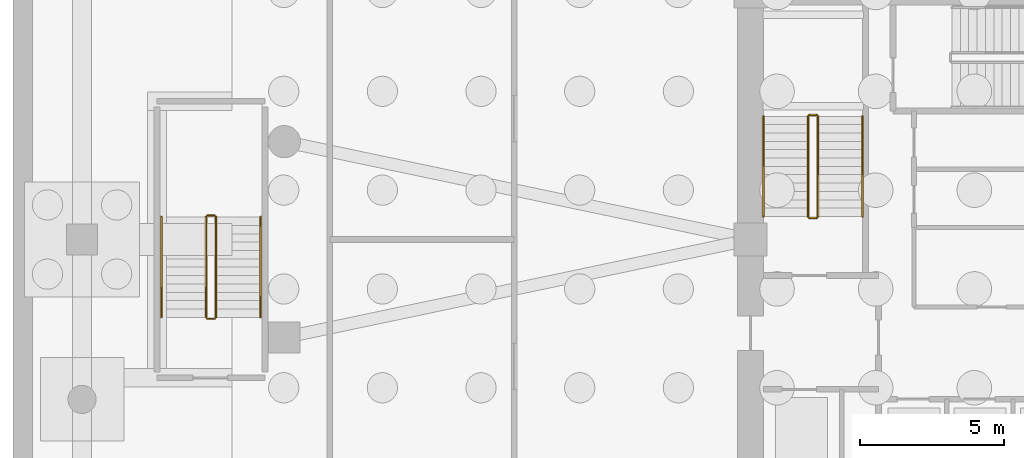
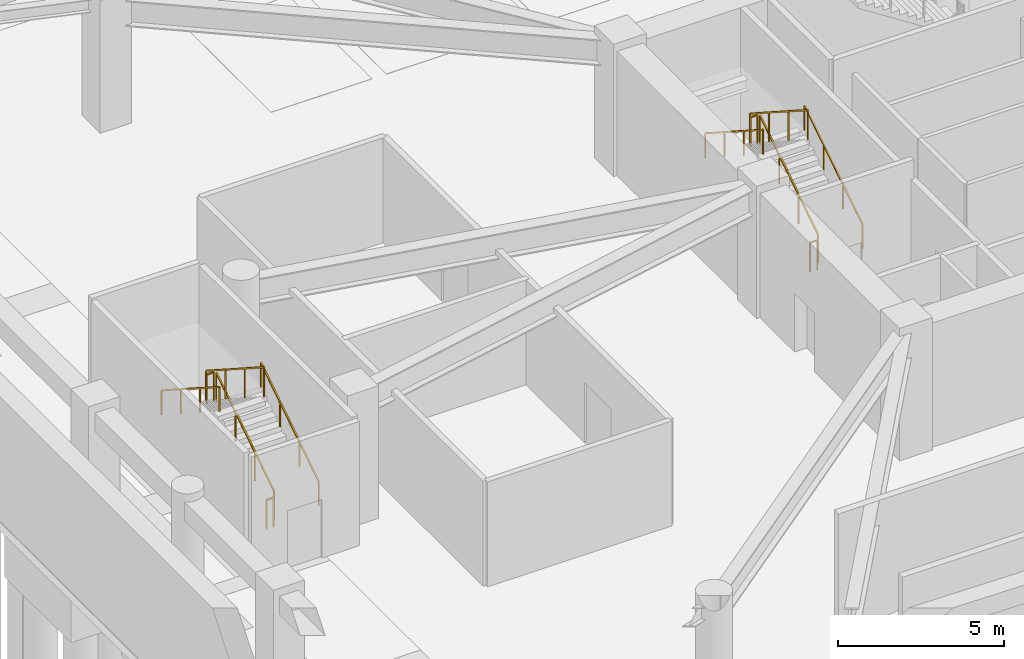
# One storey, part 7 of 11: 12 railings.
"""IFC4 building model written with IfcOpenShell, lengths in metres."""

from ifc_helpers import new_model, si_unit, derived_unit, direction, frame, origin, origin_2d, place, context, subcontext, project, spatial, rectangle, extrude, material, type_object, element, save


model = new_model("IFC4")

# Units and contexts
model_context = context("Model", 3, precision=1e-05, world=origin(), true_north=direction((0.0, 1.0)))
body_context = subcontext(model_context, "Body", "Model", "MODEL_VIEW")
ifc_project = project(units=[si_unit("LENGTHUNIT", "METRE"), si_unit("AREAUNIT", "SQUARE_METRE"), si_unit("VOLUMEUNIT", "CUBIC_METRE"), si_unit("PLANEANGLEUNIT", "RADIAN"), si_unit("MASSUNIT", "GRAM", prefix="KILO"), derived_unit("THERMALTRANSMITTANCEUNIT", [(si_unit("POWERUNIT", "WATT"), 1), (si_unit("LENGTHUNIT", "METRE"), -2), (si_unit("THERMODYNAMICTEMPERATUREUNIT", "KELVIN"), -1)])], contexts=[model_context])

# Site, building, storey
site_placement = place(None, origin())
site = spatial("IfcSite", under=ifc_project, at=site_placement, CompositionType="ELEMENT")
building_placement = place(site_placement, origin())
building = spatial("IfcBuilding", under=site, at=building_placement, Name="Koralith Skygarden Medical Center", CompositionType="ELEMENT")
storey_placement = place(building_placement, frame((0.0, 0.0, -9.719970703125)))
storey = spatial("IfcBuildingStorey", under=building, at=storey_placement, Name="B2", CompositionType="ELEMENT", Elevation=-9.719970703125)

# Railings
ifc_material = material(Name="Steel ASTM A500 Grade C", Category="steel")
railing_type_1 = type_object("IfcRailingType", Name="Stair Flight Tubular Handrail 920", PredefinedType="HANDRAIL", material=ifc_material)
railing_1_placement = place(storey_placement, frame((29.699951171875, 26.699951171875, 0.18701171875)))
element("IfcRailing", 1, at=railing_1_placement, inside=storey, type_object=railing_type_1, Name="B2 ST1 stair handrail 1", PredefinedType="HANDRAIL", context=body_context, shape_type="SweptSolid", body=[
    extrude(rectangle(XDim=0.050048828125, YDim=0.050048828125, at=origin_2d()), frame((0.0, 0.001708984375, 0.89599609375), z_axis=(0.0, 0.840541796355, 0.541746701495), x_axis=(-1.0, 0.0, 0.0)), (0.0, 0.0, 1.0), 4.13623046875),
    extrude(rectangle(XDim=0.0419921875, YDim=0.0419921875, at=origin_2d()), origin(), (0.0, 0.0, 1.0), 0.867919921875),
    extrude(rectangle(XDim=0.0419921875, YDim=0.0419921875, at=origin_2d()), frame((0.0, 1.159912109375, 0.74755859375)), (0.0, 0.0, 1.0), 0.867919921875),
    extrude(rectangle(XDim=0.0419921875, YDim=0.0419921875, at=origin_2d()), frame((0.0, 2.320068359375, 1.495361328125)), (0.0, 0.0, 1.0), 0.867919921875),
    extrude(rectangle(XDim=0.0419921875, YDim=0.0419921875, at=origin_2d()), frame((0.0, 3.47998046875, 2.242919921875)), (0.0, 0.0, 1.0), 0.867919921875),
])
railing_2_placement = place(storey_placement, frame((26.25, 30.179931640625, 2.616943359375)))
element("IfcRailing", 2, at=railing_2_placement, inside=storey, type_object=railing_type_1, Name="B2 ST1 stair handrail 2", PredefinedType="HANDRAIL", context=body_context, shape_type="SweptSolid", body=[
    extrude(rectangle(XDim=0.050048828125, YDim=0.050048828125, at=origin_2d()), frame((0.0, -0.001708984375, 0.89599609375), z_axis=(0.0, -0.840541796355, 0.541746701495), x_axis=(1.0, 0.0, 0.0)), (0.0, 0.0, 1.0), 4.13623046875),
    extrude(rectangle(XDim=0.0419921875, YDim=0.0419921875, at=origin_2d()), origin(), (0.0, 0.0, 1.0), 0.867919921875),
    extrude(rectangle(XDim=0.0419921875, YDim=0.0419921875, at=origin_2d()), frame((0.0, -1.159912109375, 0.74755859375)), (0.0, 0.0, 1.0), 0.867919921875),
    extrude(rectangle(XDim=0.0419921875, YDim=0.0419921875, at=origin_2d()), frame((0.0, -2.320068359375, 1.495361328125)), (0.0, 0.0, 1.0), 0.867919921875),
    extrude(rectangle(XDim=0.0419921875, YDim=0.0419921875, at=origin_2d()), frame((0.0, -3.47998046875, 2.242919921875)), (0.0, 0.0, 1.0), 0.867919921875),
])
railing_3_placement = place(storey_placement, frame((8.800048828125, 23.199951171875, 0.18701171875)))
element("IfcRailing", 3, at=railing_3_placement, inside=storey, type_object=railing_type_1, Name="B2 ST4 stair handrail 1", PredefinedType="HANDRAIL", context=body_context, shape_type="SweptSolid", body=[
    extrude(rectangle(XDim=0.050048828125, YDim=0.050048828125, at=origin_2d()), frame((0.0, 0.001708984375, 0.89599609375), z_axis=(0.0, 0.840541796355, 0.541746701495), x_axis=(-1.0, 0.0, 0.0)), (0.0, 0.0, 1.0), 4.13623046875),
    extrude(rectangle(XDim=0.0419921875, YDim=0.0419921875, at=origin_2d()), origin(), (0.0, 0.0, 1.0), 0.867919921875),
    extrude(rectangle(XDim=0.0419921875, YDim=0.0419921875, at=origin_2d()), frame((0.0, 1.159912109375, 0.74755859375)), (0.0, 0.0, 1.0), 0.867919921875),
    extrude(rectangle(XDim=0.0419921875, YDim=0.0419921875, at=origin_2d()), frame((0.0, 2.320068359375, 1.495361328125)), (0.0, 0.0, 1.0), 0.867919921875),
    extrude(rectangle(XDim=0.0419921875, YDim=0.0419921875, at=origin_2d()), frame((0.0, 3.47998046875, 2.242919921875)), (0.0, 0.0, 1.0), 0.867919921875),
])
railing_4_placement = place(storey_placement, frame((5.35009765625, 26.679931640625, 2.616943359375)))
element("IfcRailing", 4, at=railing_4_placement, inside=storey, type_object=railing_type_1, Name="B2 ST4 stair handrail 2", PredefinedType="HANDRAIL", context=body_context, shape_type="SweptSolid", body=[
    extrude(rectangle(XDim=0.050048828125, YDim=0.050048828125, at=origin_2d()), frame((0.0, -0.001708984375, 0.89599609375), z_axis=(0.0, -0.840541796355, 0.541746701495), x_axis=(1.0, 0.0, 0.0)), (0.0, 0.0, 1.0), 4.13623046875),
    extrude(rectangle(XDim=0.0419921875, YDim=0.0419921875, at=origin_2d()), origin(), (0.0, 0.0, 1.0), 0.867919921875),
    extrude(rectangle(XDim=0.0419921875, YDim=0.0419921875, at=origin_2d()), frame((0.0, -1.159912109375, 0.74755859375)), (0.0, 0.0, 1.0), 0.867919921875),
    extrude(rectangle(XDim=0.0419921875, YDim=0.0419921875, at=origin_2d()), frame((0.0, -2.320068359375, 1.495361328125)), (0.0, 0.0, 1.0), 0.867919921875),
    extrude(rectangle(XDim=0.0419921875, YDim=0.0419921875, at=origin_2d()), frame((0.0, -3.47998046875, 2.242919921875)), (0.0, 0.0, 1.0), 0.867919921875),
])
railing_type_2 = type_object("IfcRailingType", Name="Stair Well Safety Guardrail 1100", PredefinedType="GUARDRAIL", material=ifc_material)
railing_5_placement = place(storey_placement, frame((28.14990234375, 26.699951171875, 0.18701171875)))
element("IfcRailing", 5, at=railing_5_placement, inside=storey, type_object=railing_type_2, Name="B2 ST1 stair guard 1", PredefinedType="GUARDRAIL", context=body_context, shape_type="SweptSolid", body=[
    extrude(rectangle(XDim=0.050048828125, YDim=0.050048828125, at=origin_2d()), frame((0.0, 0.001708984375, 1.076171875), z_axis=(0.0, 0.840541796355, 0.541746701495), x_axis=(-1.0, 0.0, 0.0)), (0.0, 0.0, 1.0), 4.13623046875),
    extrude(rectangle(XDim=0.0419921875, YDim=0.0419921875, at=origin_2d()), origin(), (0.0, 0.0, 1.0), 1.048095703125),
    extrude(rectangle(XDim=0.0419921875, YDim=0.0419921875, at=origin_2d()), frame((0.0, 1.159912109375, 0.74755859375)), (0.0, 0.0, 1.0), 1.048095703125),
    extrude(rectangle(XDim=0.0419921875, YDim=0.0419921875, at=origin_2d()), frame((0.0, 2.320068359375, 1.495361328125)), (0.0, 0.0, 1.0), 1.048095703125),
    extrude(rectangle(XDim=0.0419921875, YDim=0.0419921875, at=origin_2d()), frame((0.0, 3.47998046875, 2.242919921875)), (0.0, 0.0, 1.0), 1.048095703125),
])
railing_6_placement = place(storey_placement, frame((28.10009765625, 30.22998046875, 2.429931640625)))
element("IfcRailing", 6, at=railing_6_placement, inside=storey, type_object=railing_type_2, Name="B2 ST1 stair guard 2", PredefinedType="GUARDRAIL", context=body_context, shape_type="SweptSolid", body=[
    extrude(rectangle(XDim=0.050048828125, YDim=0.050048828125, at=origin_2d()), frame((-0.001953125, 0.0, 1.0751953125), z_axis=(-1.0, 0.0, 0.0), x_axis=(0.0, -1.0, 0.0)), (0.0, 0.0, 1.0), 0.24609375),
    extrude(rectangle(XDim=0.0419921875, YDim=0.0419921875, at=origin_2d()), origin(), (0.0, 0.0, 1.0), 1.048095703125),
    extrude(rectangle(XDim=0.0419921875, YDim=0.0419921875, at=origin_2d()), frame((-0.25, 0.0, 0.0)), (0.0, 0.0, 1.0), 1.048095703125),
])
railing_7_placement = place(storey_placement, frame((27.800048828125, 30.179931640625, 2.616943359375)))
element("IfcRailing", 7, at=railing_7_placement, inside=storey, type_object=railing_type_2, Name="B2 ST1 stair guard 3", PredefinedType="GUARDRAIL", context=body_context, shape_type="SweptSolid", body=[
    extrude(rectangle(XDim=0.050048828125, YDim=0.050048828125, at=origin_2d()), frame((0.0, -0.001708984375, 1.076171875), z_axis=(0.0, -0.840541796355, 0.541746701495), x_axis=(1.0, 0.0, 0.0)), (0.0, 0.0, 1.0), 4.13623046875),
    extrude(rectangle(XDim=0.0419921875, YDim=0.0419921875, at=origin_2d()), origin(), (0.0, 0.0, 1.0), 1.048095703125),
    extrude(rectangle(XDim=0.0419921875, YDim=0.0419921875, at=origin_2d()), frame((0.0, -1.159912109375, 0.74755859375)), (0.0, 0.0, 1.0), 1.048095703125),
    extrude(rectangle(XDim=0.0419921875, YDim=0.0419921875, at=origin_2d()), frame((0.0, -2.320068359375, 1.495361328125)), (0.0, 0.0, 1.0), 1.048095703125),
    extrude(rectangle(XDim=0.0419921875, YDim=0.0419921875, at=origin_2d()), frame((0.0, -3.47998046875, 2.242919921875)), (0.0, 0.0, 1.0), 1.048095703125),
])
railing_8_placement = place(storey_placement, frame((28.10009765625, 26.64990234375, 0.0)))
element("IfcRailing", 8, at=railing_8_placement, inside=storey, type_object=railing_type_2, Name="B2 ST1 stair guard 4", PredefinedType="GUARDRAIL", context=body_context, shape_type="SweptSolid", body=[
    extrude(rectangle(XDim=0.050048828125, YDim=0.050048828125, at=origin_2d()), frame((-0.001953125, 0.0, 1.0751953125), z_axis=(-1.0, 0.0, 0.0), x_axis=(0.0, -1.0, 0.0)), (0.0, 0.0, 1.0), 0.24609375),
    extrude(rectangle(XDim=0.0419921875, YDim=0.0419921875, at=origin_2d()), origin(), (0.0, 0.0, 1.0), 1.048095703125),
    extrude(rectangle(XDim=0.0419921875, YDim=0.0419921875, at=origin_2d()), frame((-0.25, 0.0, 0.0)), (0.0, 0.0, 1.0), 1.048095703125),
])
railing_9_placement = place(storey_placement, frame((7.25, 23.199951171875, 0.18701171875)))
element("IfcRailing", 9, at=railing_9_placement, inside=storey, type_object=railing_type_2, Name="B2 ST4 stair guard 1", PredefinedType="GUARDRAIL", context=body_context, shape_type="SweptSolid", body=[
    extrude(rectangle(XDim=0.050048828125, YDim=0.050048828125, at=origin_2d()), frame((0.0, 0.001708984375, 1.076171875), z_axis=(0.0, 0.840541796355, 0.541746701495), x_axis=(-1.0, 0.0, 0.0)), (0.0, 0.0, 1.0), 4.13623046875),
    extrude(rectangle(XDim=0.0419921875, YDim=0.0419921875, at=origin_2d()), origin(), (0.0, 0.0, 1.0), 1.048095703125),
    extrude(rectangle(XDim=0.0419921875, YDim=0.0419921875, at=origin_2d()), frame((0.0, 1.159912109375, 0.74755859375)), (0.0, 0.0, 1.0), 1.048095703125),
    extrude(rectangle(XDim=0.0419921875, YDim=0.0419921875, at=origin_2d()), frame((0.0, 2.320068359375, 1.495361328125)), (0.0, 0.0, 1.0), 1.048095703125),
    extrude(rectangle(XDim=0.0419921875, YDim=0.0419921875, at=origin_2d()), frame((0.0, 3.47998046875, 2.242919921875)), (0.0, 0.0, 1.0), 1.048095703125),
])
railing_10_placement = place(storey_placement, frame((7.199951171875, 26.72998046875, 2.429931640625)))
element("IfcRailing", 10, at=railing_10_placement, inside=storey, type_object=railing_type_2, Name="B2 ST4 stair guard 2", PredefinedType="GUARDRAIL", context=body_context, shape_type="SweptSolid", body=[
    extrude(rectangle(XDim=0.050048828125, YDim=0.050048828125, at=origin_2d()), frame((-0.001953125, 0.0, 1.0751953125), z_axis=(-1.0, 0.0, 0.0), x_axis=(0.0, -1.0, 0.0)), (0.0, 0.0, 1.0), 0.24609375),
    extrude(rectangle(XDim=0.0419921875, YDim=0.0419921875, at=origin_2d()), origin(), (0.0, 0.0, 1.0), 1.048095703125),
    extrude(rectangle(XDim=0.0419921875, YDim=0.0419921875, at=origin_2d()), frame((-0.25, 0.0, 0.0)), (0.0, 0.0, 1.0), 1.048095703125),
])
railing_11_placement = place(storey_placement, frame((6.89990234375, 26.679931640625, 2.616943359375)))
element("IfcRailing", 11, at=railing_11_placement, inside=storey, type_object=railing_type_2, Name="B2 ST4 stair guard 3", PredefinedType="GUARDRAIL", context=body_context, shape_type="SweptSolid", body=[
    extrude(rectangle(XDim=0.050048828125, YDim=0.050048828125, at=origin_2d()), frame((0.0, -0.001708984375, 1.076171875), z_axis=(0.0, -0.840541796355, 0.541746701495), x_axis=(1.0, 0.0, 0.0)), (0.0, 0.0, 1.0), 4.13623046875),
    extrude(rectangle(XDim=0.0419921875, YDim=0.0419921875, at=origin_2d()), origin(), (0.0, 0.0, 1.0), 1.048095703125),
    extrude(rectangle(XDim=0.0419921875, YDim=0.0419921875, at=origin_2d()), frame((0.0, -1.159912109375, 0.74755859375)), (0.0, 0.0, 1.0), 1.048095703125),
    extrude(rectangle(XDim=0.0419921875, YDim=0.0419921875, at=origin_2d()), frame((0.0, -2.320068359375, 1.495361328125)), (0.0, 0.0, 1.0), 1.048095703125),
    extrude(rectangle(XDim=0.0419921875, YDim=0.0419921875, at=origin_2d()), frame((0.0, -3.47998046875, 2.242919921875)), (0.0, 0.0, 1.0), 1.048095703125),
])
railing_12_placement = place(storey_placement, frame((7.199951171875, 23.14990234375, 0.0)))
element("IfcRailing", 12, at=railing_12_placement, inside=storey, type_object=railing_type_2, Name="B2 ST4 stair guard 4", PredefinedType="GUARDRAIL", context=body_context, shape_type="SweptSolid", body=[
    extrude(rectangle(XDim=0.050048828125, YDim=0.050048828125, at=origin_2d()), frame((-0.001953125, 0.0, 1.0751953125), z_axis=(-1.0, 0.0, 0.0), x_axis=(0.0, -1.0, 0.0)), (0.0, 0.0, 1.0), 0.24609375),
    extrude(rectangle(XDim=0.0419921875, YDim=0.0419921875, at=origin_2d()), origin(), (0.0, 0.0, 1.0), 1.048095703125),
    extrude(rectangle(XDim=0.0419921875, YDim=0.0419921875, at=origin_2d()), frame((-0.25, 0.0, 0.0)), (0.0, 0.0, 1.0), 1.048095703125),
])

save(model, "model.ifc")
